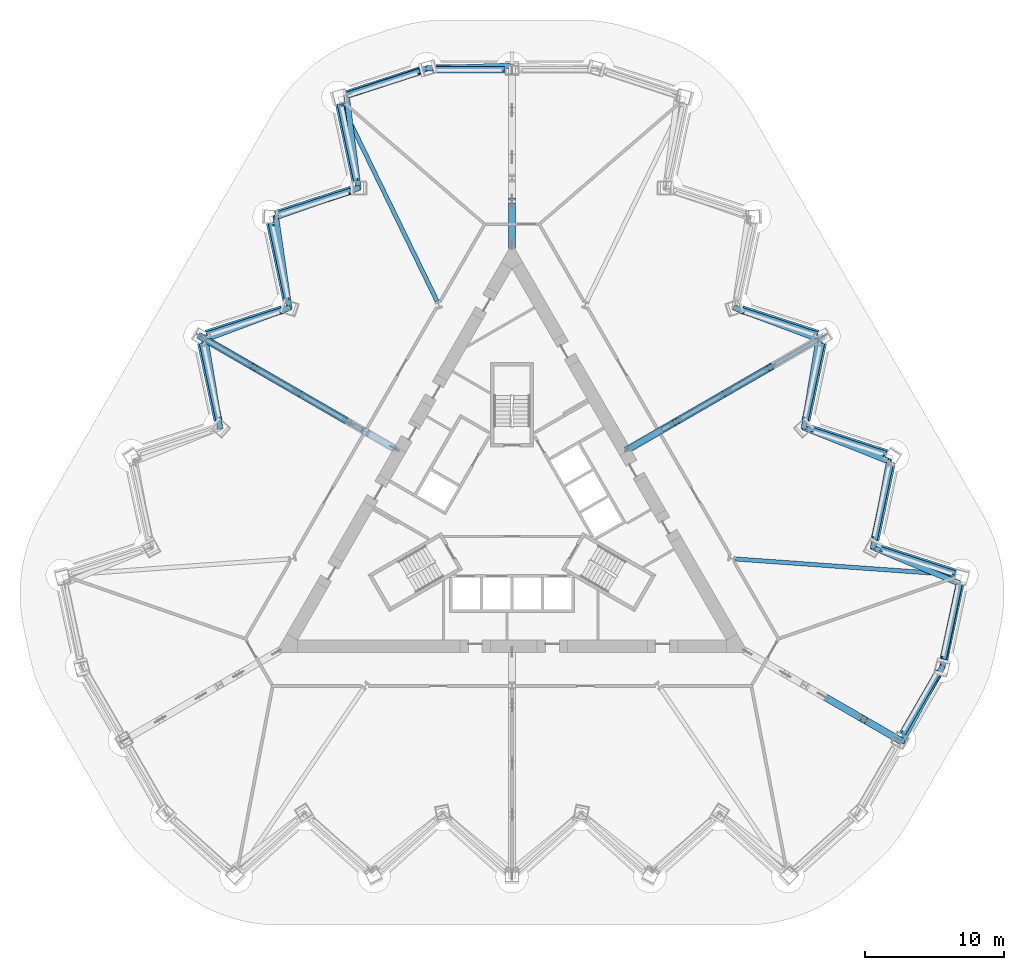
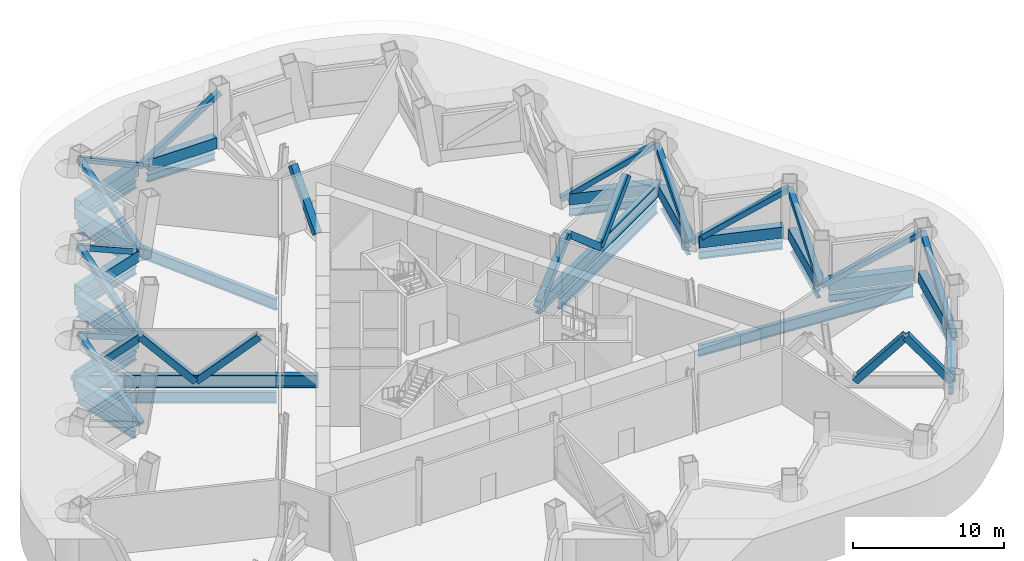
# One storey, part 3 of 14: 39 members, 18 beams.
"""IFC4 building model written with IfcOpenShell, lengths in metres."""

from ifc_helpers import new_model, si_unit, direction, frame, origin, origin_2d, place, context, subcontext, project, spatial, hollow_rectangle, i_section, extrude, material, material_profile, profile_set, type_object, element, save


model = new_model("IFC4")

# Units and contexts
model_context = context("Model", 3, precision=1e-05, world=origin(), true_north=direction((0.0, 1.0)))
body_context = subcontext(model_context, "Body", "Model", "MODEL_VIEW")
ifc_project = project(units=[si_unit("LENGTHUNIT", "METRE"), si_unit("AREAUNIT", "SQUARE_METRE"), si_unit("VOLUMEUNIT", "CUBIC_METRE"), si_unit("PLANEANGLEUNIT", "RADIAN"), si_unit("MASSUNIT", "GRAM", prefix="KILO")], contexts=[model_context])

# Site, building, storey
site_placement = place(None, origin())
site = spatial("IfcSite", under=ifc_project, at=site_placement, CompositionType="ELEMENT")
building_placement = place(site_placement, origin())
building = spatial("IfcBuilding", under=site, at=building_placement, Name="Cormorant Prow Tower", CompositionType="ELEMENT")
storey_placement = place(building_placement, frame((0.0, 0.0, 94.60009765625)))
storey = spatial("IfcBuildingStorey", under=building, at=storey_placement, Name="L19", CompositionType="ELEMENT", Elevation=94.60009765625)

# Members
ifc_material_1 = material(Name="Structural steel ASTM A572 Gr 50", Category="steel")
ifc_material_profile_1 = material_profile(ifc_material_1, hollow_rectangle(XDim=0.60009765625, YDim=0.89990234375, WallThickness=0.06005859375, at=origin_2d()), Name="Box 900x600x60")
ifc_profile_set_1 = profile_set([ifc_material_profile_1], Name="Structural steel ASTM A572 Gr 50")
member_type_1 = type_object("IfcMemberType", Name="Belt truss bottom chord 900x600x60", PredefinedType="CHORD", material=ifc_profile_set_1)
member_1_placement = place(storey_placement, frame((28.150146484375, -15.709716796875, 0.449951171875), z_axis=(0.499985124888, 0.866033991764, 0.0), x_axis=(-0.866033991764, 0.499985124888, 0.0)))
element("IfcMember", 1, at=member_1_placement, inside=storey, type_object=member_type_1, Name="Belt truss bottom chord ESE01-ENE00 L19", PredefinedType="CHORD", context=body_context, shape_type="SweptSolid", body=[
    extrude(hollow_rectangle(XDim=0.60009765625, YDim=0.89990234375, WallThickness=0.06005859375, at=origin_2d()), origin(), (0.0, 0.0, 1.0), 5.229736328125),
])
for number, where, z_axis, x_axis, name in (
    (2, (31.09765625, -10.31396484375, 0.449951171875), (0.207940619729, 0.978141451257, 0.0), (-0.978141451257, 0.207940619729, 0.0), "Belt truss bottom chord ENE00-ENE01 L19"),
    (3, (31.9423828125, -4.092041015625, 0.449951171875), (-0.951062183866, 0.308999550842, 0.0), (-0.308999550842, -0.951062183866, 0.0), "Belt truss bottom chord ENE01-ENE02 L19"),
):
    element("IfcMember", number, at=place(storey_placement, frame(where, z_axis=z_axis, x_axis=x_axis)), inside=storey, type_object=member_type_1, Name=name, PredefinedType="CHORD", context=body_context, shape_type="SweptSolid", body=[
        extrude(hollow_rectangle(XDim=0.60009765625, YDim=0.89990234375, WallThickness=0.06005859375, at=origin_2d()), origin(), (0.0, 0.0, 1.0), 5.742431640625),
    ])
member_2_placement = place(storey_placement, frame((26.131591796875, -1.712646484375, 0.449951171875), z_axis=(0.207931972737, 0.978143289459, 0.0), x_axis=(-0.978143289459, 0.207931972737, 0.0)))
element("IfcMember", 4, at=member_2_placement, inside=storey, type_object=member_type_1, Name="Belt truss bottom chord ENE02-ENE03 L19", PredefinedType="CHORD", context=body_context, shape_type="SweptSolid", body=[
    extrude(hollow_rectangle(XDim=0.60009765625, YDim=0.89990234375, WallThickness=0.06005859375, at=origin_2d()), origin(), (0.0, 0.0, 1.0), 5.74267578125),
])
for number, where, z_axis, x_axis, name in (
    (5, (26.976318359375, 4.509521484375, 0.449951171875), (-0.951062183866, 0.308999550842, 0.0), (-0.308999550842, -0.951062183866, 0.0), "Belt truss bottom chord ENE03-ENE04 L19"),
    (6, (21.16552734375, 6.888916015625, 0.449951171875), (0.207940619729, 0.978141451257, 0.0), (-0.978141451257, 0.207940619729, 0.0), "Belt truss bottom chord ENE04-ENE05 L19"),
    (7, (22.01025390625, 13.11083984375, 0.449951171875), (-0.951049689017, 0.309038005787, 0.0), (-0.309038005787, -0.951049689017, 0.0), "Belt truss bottom chord ENE05-ENE06 L19"),
):
    element("IfcMember", number, at=place(storey_placement, frame(where, z_axis=z_axis, x_axis=x_axis)), inside=storey, type_object=member_type_1, Name=name, PredefinedType="CHORD", context=body_context, shape_type="SweptSolid", body=[
        extrude(hollow_rectangle(XDim=0.60009765625, YDim=0.89990234375, WallThickness=0.06005859375, at=origin_2d()), origin(), (0.0, 0.0, 1.0), 5.742431640625),
    ])
member_3_placement = place(storey_placement, frame((-0.469970703125, 32.233642578125, 0.449951171875), z_axis=(-1.0, 0.0, 0.0), x_axis=(0.0, -1.0, 0.0)))
element("IfcMember", 8, at=member_3_placement, inside=storey, type_object=member_type_1, Name="Belt truss bottom chord N01-WNW00 L19", PredefinedType="CHORD", context=body_context, shape_type="SweptSolid", body=[
    extrude(hollow_rectangle(XDim=0.60009765625, YDim=0.89990234375, WallThickness=0.06005859375, at=origin_2d()), origin(), (0.0, 0.0, 1.0), 5.229736328125),
])
member_4_placement = place(storey_placement, frame((-6.61669921875, 32.08837890625, 0.449951171875), z_axis=(-0.951062183866, -0.308999550842, 0.0), x_axis=(0.308999550842, -0.951062183866, 0.0)))
element("IfcMember", 9, at=member_4_placement, inside=storey, type_object=member_type_1, Name="Belt truss bottom chord WNW00-WNW01 L19", PredefinedType="CHORD", context=body_context, shape_type="SweptSolid", body=[
    extrude(hollow_rectangle(XDim=0.60009765625, YDim=0.89990234375, WallThickness=0.06005859375, at=origin_2d()), origin(), (0.0, 0.0, 1.0), 5.742431640625),
])
member_5_placement = place(storey_placement, frame((-12.427490234375, 29.708984375, 0.449951171875), z_axis=(0.207931972737, -0.978143289459, 0.0), x_axis=(0.978143289459, 0.207931972737, 0.0)))
element("IfcMember", 10, at=member_5_placement, inside=storey, type_object=member_type_1, Name="Belt truss bottom chord WNW01-WNW02 L19", PredefinedType="CHORD", context=body_context, shape_type="SweptSolid", body=[
    extrude(hollow_rectangle(XDim=0.60009765625, YDim=0.89990234375, WallThickness=0.06005859375, at=origin_2d()), origin(), (0.0, 0.0, 1.0), 5.74267578125),
])
for number, where, z_axis, x_axis, name in (
    (11, (-11.582763671875, 23.487060546875, 0.449951171875), (-0.951049689017, -0.309038005787, 0.0), (0.309038005787, -0.951049689017, 0.0), "Belt truss bottom chord WNW02-WNW03 L19"),
    (12, (-17.3935546875, 21.107421875, 0.449951171875), (0.207940619729, -0.978141451257, 0.0), (0.978141451257, 0.207940619729, 0.0), "Belt truss bottom chord WNW03-WNW04 L19"),
    (13, (-16.548828125, 14.885498046875, 0.449951171875), (-0.951049689017, -0.309038005787, 0.0), (0.309038005787, -0.951049689017, 0.0), "Belt truss bottom chord WNW04-WNW05 L19"),
    (14, (-22.359619140625, 12.505859375, 0.449951171875), (0.207940619729, -0.978141451257, 0.0), (0.978141451257, 0.207940619729, 0.0), "Belt truss bottom chord WNW05-WNW06 L19"),
):
    element("IfcMember", number, at=place(storey_placement, frame(where, z_axis=z_axis, x_axis=x_axis)), inside=storey, type_object=member_type_1, Name=name, PredefinedType="CHORD", context=body_context, shape_type="SweptSolid", body=[
        extrude(hollow_rectangle(XDim=0.60009765625, YDim=0.89990234375, WallThickness=0.06005859375, at=origin_2d()), origin(), (0.0, 0.0, 1.0), 5.742431640625),
    ])
ifc_material_2 = material(Name="Structural steel ASTM A500 Gr C", Category="steel")
ifc_material_profile_2 = material_profile(ifc_material_2, hollow_rectangle(XDim=0.406494140625, YDim=0.406494140625, WallThickness=0.014892578125, at=origin_2d()), Name="HSS16x16x5/8")
ifc_profile_set_2 = profile_set([ifc_material_profile_2], Name="Structural steel ASTM A500 Gr C")
member_type_2 = type_object("IfcMemberType", Name="Belt truss diagonal HSS16x16x5/8", PredefinedType="BRACE", material=ifc_profile_set_2)
member_6_placement = place(storey_placement, frame((30.979248046875, -10.855224609375, 0.449951171875), z_axis=(-0.404375596935, -0.752984699012, 0.519128519403), x_axis=(0.880996904166, -0.473122029555, 0.0)))
element("IfcMember", 15, at=member_6_placement, inside=storey, type_object=member_type_2, Name="Belt truss diagonal ESE01-ENE00 L19", PredefinedType="BRACE", context=body_context, shape_type="SweptSolid", body=[
    extrude(hollow_rectangle(XDim=0.406494140625, YDim=0.406494140625, WallThickness=0.014892578125, at=origin_2d()), origin(), (0.0, 0.0, 1.0), 7.127197265625),
])
member_7_placement = place(storey_placement, frame((26.001220703125, -2.23291015625, 0.449951171875), z_axis=(0.808819499256, -0.338981899194, 0.480522933523), x_axis=(0.386532262966, 0.922275885886, 0.0)))
element("IfcMember", 16, at=member_7_placement, inside=storey, type_object=member_type_2, Name="Belt truss diagonal ENE01-ENE02 L19", PredefinedType="BRACE", context=body_context, shape_type="SweptSolid", body=[
    extrude(hollow_rectangle(XDim=0.406494140625, YDim=0.406494140625, WallThickness=0.014892578125, at=origin_2d()), origin(), (0.0, 0.0, 1.0), 7.699951171875),
])
member_8_placement = place(storey_placement, frame((21.02294921875, 6.389404296875, 0.449951171875), z_axis=(0.810377971724, -0.322420936169, 0.489215987949), x_axis=(0.369679818329, 0.929159206982, 0.0)))
element("IfcMember", 17, at=member_8_placement, inside=storey, type_object=member_type_2, Name="Belt truss diagonal ENE03-ENE04 L19", PredefinedType="BRACE", context=body_context, shape_type="SweptSolid", body=[
    extrude(hollow_rectangle(XDim=0.406494140625, YDim=0.406494140625, WallThickness=0.014892578125, at=origin_2d()), origin(), (0.0, 0.0, 1.0), 7.56298828125),
])
member_9_placement = place(storey_placement, frame((16.044921875, 15.01171875, 0.449951171875), z_axis=(0.811680787728, -0.305144388779, 0.498057427242), x_axis=(0.351895846656, 0.936039162165, 0.0)))
element("IfcMember", 18, at=member_9_placement, inside=storey, type_object=member_type_2, Name="Belt truss diagonal ENE05-ENE06 L19", PredefinedType="BRACE", context=body_context, shape_type="SweptSolid", body=[
    extrude(hollow_rectangle(XDim=0.406494140625, YDim=0.406494140625, WallThickness=0.014892578125, at=origin_2d()), origin(), (0.0, 0.0, 1.0), 7.4287109375),
])
member_10_placement = place(storey_placement, frame((-6.088623046875, 32.25634765625, 0.449951171875), z_axis=(0.854286991675, 0.02630788763, 0.519135464887), x_axis=(-0.030780548378, 0.999526166662, 0.0)))
element("IfcMember", 19, at=member_10_placement, inside=storey, type_object=member_type_2, Name="Belt truss diagonal N01-WNW00 L19", PredefinedType="BRACE", context=body_context, shape_type="SweptSolid", body=[
    extrude(hollow_rectangle(XDim=0.406494140625, YDim=0.406494140625, WallThickness=0.014892578125, at=origin_2d()), origin(), (0.0, 0.0, 1.0), 7.127197265625),
])
member_11_placement = place(storey_placement, frame((-11.06689453125, 23.634033203125, 0.449951171875), z_axis=(-0.110845140473, 0.86995679757, 0.480508610948), x_axis=(-0.991980283987, -0.126392706204, 0.0)))
element("IfcMember", 20, at=member_11_placement, inside=storey, type_object=member_type_2, Name="Belt truss diagonal WNW01-WNW02 L19", PredefinedType="BRACE", context=body_context, shape_type="SweptSolid", body=[
    extrude(hollow_rectangle(XDim=0.406494140625, YDim=0.406494140625, WallThickness=0.014892578125, at=origin_2d()), origin(), (0.0, 0.0, 1.0), 7.699951171875),
])
member_12_placement = place(storey_placement, frame((-16.044921875, 15.01171875, 0.449951171875), z_axis=(-0.125958825238, 0.863021320537, 0.48921219797), x_axis=(-0.989516348187, -0.144420901089, 0.0)))
element("IfcMember", 21, at=member_12_placement, inside=storey, type_object=member_type_2, Name="Belt truss diagonal WNW03-WNW04 L19", PredefinedType="BRACE", context=body_context, shape_type="SweptSolid", body=[
    extrude(hollow_rectangle(XDim=0.406494140625, YDim=0.406494140625, WallThickness=0.014892578125, at=origin_2d()), origin(), (0.0, 0.0, 1.0), 7.56298828125),
])
member_13_placement = place(storey_placement, frame((-21.02294921875, 6.389404296875, 0.449951171875), z_axis=(-0.14157746832, 0.855511758426, 0.498051655614), x_axis=(-0.986581745381, -0.163268060814, 0.0)))
element("IfcMember", 22, at=member_13_placement, inside=storey, type_object=member_type_2, Name="Belt truss diagonal WNW05-WNW06 L19", PredefinedType="BRACE", context=body_context, shape_type="SweptSolid", body=[
    extrude(hollow_rectangle(XDim=0.406494140625, YDim=0.406494140625, WallThickness=0.014892578125, at=origin_2d()), origin(), (0.0, 0.0, 1.0), 7.428955078125),
])
ifc_material_3 = material(Name="Structural steel ASTM A500 Gr C", Category="steel")
ifc_material_profile_3 = material_profile(ifc_material_3, hollow_rectangle(XDim=0.406494140625, YDim=0.406494140625, WallThickness=0.014892578125, at=origin_2d()), Name="HSS16x16x5/8")
ifc_profile_set_3 = profile_set([ifc_material_profile_3], Name="Structural steel ASTM A500 Gr C")
member_type_3 = type_object("IfcMemberType", Name="Belt truss strut HSS16x16x5/8", PredefinedType="STRUT", material=ifc_profile_set_3)
member_14_placement = place(storey_placement, frame((30.979248046875, -10.855224609375, 0.449951171875), z_axis=(0.174321674142, 0.838610187034, 0.516086144096), x_axis=(-0.979070951918, 0.20351921558, 0.0)))
element("IfcMember", 23, at=member_14_placement, inside=storey, type_object=member_type_3, Name="Belt truss strut ENE00-ENE01 L19", PredefinedType="STRUT", context=body_context, shape_type="SweptSolid", body=[
    extrude(hollow_rectangle(XDim=0.406494140625, YDim=0.406494140625, WallThickness=0.014892578125, at=origin_2d()), origin(), (0.0, 0.0, 1.0), 7.169189453125),
])
member_15_placement = place(storey_placement, frame((26.001220703125, -2.23291015625, 0.449951171875), z_axis=(0.157675282259, 0.847391730178, 0.507016529308), x_axis=(-0.983125666622, 0.182931472494, 0.0)))
element("IfcMember", 24, at=member_15_placement, inside=storey, type_object=member_type_3, Name="Belt truss strut ENE02-ENE03 L19", PredefinedType="STRUT", context=body_context, shape_type="SweptSolid", body=[
    extrude(hollow_rectangle(XDim=0.406494140625, YDim=0.406494140625, WallThickness=0.014892578125, at=origin_2d()), origin(), (0.0, 0.0, 1.0), 7.297607421875),
])
member_16_placement = place(storey_placement, frame((21.02294921875, 6.389404296875, 0.449951171875), z_axis=(0.14157746832, 0.855511758426, 0.498051655614), x_axis=(-0.986581745381, 0.163268060814, 0.0)))
element("IfcMember", 25, at=member_16_placement, inside=storey, type_object=member_type_3, Name="Belt truss strut ENE04-ENE05 L19", PredefinedType="STRUT", context=body_context, shape_type="SweptSolid", body=[
    extrude(hollow_rectangle(XDim=0.406494140625, YDim=0.406494140625, WallThickness=0.014892578125, at=origin_2d()), origin(), (0.0, 0.0, 1.0), 7.428955078125),
])
member_17_placement = place(storey_placement, frame((-6.088623046875, 32.25634765625, 0.449951171875), z_axis=(-0.813433365656, -0.268306672584, 0.516079150019), x_axis=(0.31324443822, -0.949672534048, 0.0)))
element("IfcMember", 26, at=member_17_placement, inside=storey, type_object=member_type_3, Name="Belt truss strut WNW00-WNW01 L19", PredefinedType="STRUT", context=body_context, shape_type="SweptSolid", body=[
    extrude(hollow_rectangle(XDim=0.406494140625, YDim=0.406494140625, WallThickness=0.014892578125, at=origin_2d()), origin(), (0.0, 0.0, 1.0), 7.16943359375),
])
member_18_placement = place(storey_placement, frame((-11.06689453125, 23.634033203125, 0.449951171875), z_axis=(-0.812706953965, -0.287117202327, 0.507021813244), x_axis=(0.333108406392, -0.942888535083, 0.0)))
element("IfcMember", 27, at=member_18_placement, inside=storey, type_object=member_type_3, Name="Belt truss strut WNW02-WNW03 L19", PredefinedType="STRUT", context=body_context, shape_type="SweptSolid", body=[
    extrude(hollow_rectangle(XDim=0.406494140625, YDim=0.406494140625, WallThickness=0.014892578125, at=origin_2d()), origin(), (0.0, 0.0, 1.0), 7.29736328125),
])
member_19_placement = place(storey_placement, frame((-16.044921875, 15.01171875, 0.449951171875), z_axis=(-0.811680787728, -0.305144388779, 0.498057427242), x_axis=(0.351895846656, -0.936039162165, 0.0)))
element("IfcMember", 28, at=member_19_placement, inside=storey, type_object=member_type_3, Name="Belt truss strut WNW04-WNW05 L19", PredefinedType="STRUT", context=body_context, shape_type="SweptSolid", body=[
    extrude(hollow_rectangle(XDim=0.406494140625, YDim=0.406494140625, WallThickness=0.014892578125, at=origin_2d()), origin(), (0.0, 0.0, 1.0), 7.4287109375),
])
ifc_material_4 = material(Name="Structural steel ASTM A992 Gr 50", Category="steel")
ifc_material_profile_4 = material_profile(ifc_material_4, i_section(OverallWidth=0.39990234375, OverallDepth=1.000244140625, WebThickness=0.01904296875, FlangeThickness=0.0361328125, at=origin_2d()), Name="W40x249")
ifc_profile_set_4 = profile_set([ifc_material_profile_4], Name="Structural steel ASTM A992 Gr 50")
member_type_4 = type_object("IfcMemberType", Name="Outrigger chord W40x249", PredefinedType="CHORD", material=ifc_profile_set_4)
for number, where, z_axis, x_axis, name in (
    (29, (-8.3701171875, 4.83251953125, 0.5), (-0.866029874336, 0.499992256698, 0.0), (-0.499992256698, -0.866029874336, 0.0), "Outrigger bottom chord 2 L19"),
    (30, (8.3701171875, 4.83251953125, 0.5), (0.866029874336, 0.499992256698, 0.0), (-0.499992256698, 0.866029874336, 0.0), "Outrigger bottom chord 6 L19"),
):
    element("IfcMember", number, at=place(storey_placement, frame(where, z_axis=z_axis, x_axis=x_axis)), inside=storey, type_object=member_type_4, Name=name, PredefinedType="CHORD", context=body_context, shape_type="SweptSolid", body=[
        extrude(i_section(OverallWidth=0.39990234375, OverallDepth=1.000244140625, WebThickness=0.01904296875, FlangeThickness=0.0361328125, at=origin_2d()), origin(), (0.0, 0.0, 1.0), 16.266357421875),
    ])
ifc_material_5 = material(Name="Structural steel ASTM A500 Gr C", Category="steel")
ifc_material_profile_5 = material_profile(ifc_material_5, hollow_rectangle(XDim=0.508056640625, YDim=0.508056640625, WallThickness=0.014892578125, at=origin_2d()), Name="HSS20x20x5/8")
ifc_profile_set_5 = profile_set([ifc_material_profile_5], Name="Structural steel ASTM A500 Gr C")
member_type_5 = type_object("IfcMemberType", Name="Outrigger diagonal HSS20x20x5/8", PredefinedType="BRACE", material=ifc_profile_set_5)
member_20_placement = place(storey_placement, frame((0.0, 19.47998046875, 0.5), z_axis=(0.0, 0.670312185604, 0.74207922342), x_axis=(-1.0, 0.0, 0.0)))
element("IfcMember", 31, at=member_20_placement, inside=storey, type_object=member_type_5, Name="Outrigger diagonal 1.1 L19", PredefinedType="BRACE", context=body_context, shape_type="SweptSolid", body=[
    extrude(hollow_rectangle(XDim=0.508056640625, YDim=0.508056640625, WallThickness=0.014892578125, at=origin_2d()), origin(), (0.0, 0.0, 1.0), 4.85107421875),
])
member_21_placement = place(storey_placement, frame((-15.41357421875, 8.899169921875, 0.5), z_axis=(-0.618060802827, 0.356822036129, 0.700484745402), x_axis=(-0.499983674281, -0.866034829237, 0.0)))
element("IfcMember", 32, at=member_21_placement, inside=storey, type_object=member_type_5, Name="Outrigger diagonal 2.3 L19", PredefinedType="BRACE", context=body_context, shape_type="SweptSolid", body=[
    extrude(hollow_rectangle(XDim=0.508056640625, YDim=0.508056640625, WallThickness=0.014892578125, at=origin_2d()), origin(), (0.0, 0.0, 1.0), 5.13916015625),
])
member_22_placement = place(storey_placement, frame((22.392578125, -12.928466796875, 0.5), z_axis=(0.592640333127, -0.34216275575, 0.72917904806), x_axis=(0.50000186303, 0.866024328161, 0.0)))
element("IfcMember", 33, at=member_22_placement, inside=storey, type_object=member_type_5, Name="Outrigger diagonal 5.3 L19", PredefinedType="BRACE", context=body_context, shape_type="SweptSolid", body=[
    extrude(hollow_rectangle(XDim=0.508056640625, YDim=0.508056640625, WallThickness=0.014892578125, at=origin_2d()), origin(), (0.0, 0.0, 1.0), 4.936767578125),
])
member_23_placement = place(storey_placement, frame((8.3701171875, 4.83251953125, 0.5), z_axis=(0.638863735148, 0.368858757998, 0.675126909966), x_axis=(-0.500010785354, 0.866019176768, 0.0)))
element("IfcMember", 34, at=member_23_placement, inside=storey, type_object=member_type_5, Name="Outrigger diagonal 6.1 L19", PredefinedType="BRACE", context=body_context, shape_type="SweptSolid", body=[
    extrude(hollow_rectangle(XDim=0.508056640625, YDim=0.508056640625, WallThickness=0.014892578125, at=origin_2d()), origin(), (0.0, 0.0, 1.0), 5.33203125),
])
member_24_placement = place(storey_placement, frame((15.41357421875, 8.899169921875, 0.5), z_axis=(0.618060802827, 0.356822036129, 0.700484745402), x_axis=(-0.499983674281, 0.866034829237, 0.0)))
element("IfcMember", 35, at=member_24_placement, inside=storey, type_object=member_type_5, Name="Outrigger diagonal 6.3 L19", PredefinedType="BRACE", context=body_context, shape_type="SweptSolid", body=[
    extrude(hollow_rectangle(XDim=0.508056640625, YDim=0.508056640625, WallThickness=0.014892578125, at=origin_2d()), origin(), (0.0, 0.0, 1.0), 5.13916015625),
])
ifc_material_6 = material(Name="Structural steel ASTM A500 Gr C", Category="steel")
ifc_material_profile_6 = material_profile(ifc_material_6, hollow_rectangle(XDim=0.508056640625, YDim=0.508056640625, WallThickness=0.014892578125, at=origin_2d()), Name="HSS20x20x5/8")
ifc_profile_set_6 = profile_set([ifc_material_profile_6], Name="Structural steel ASTM A500 Gr C")
member_type_6 = type_object("IfcMemberType", Name="Outrigger strut HSS20x20x5/8", PredefinedType="STRUT", material=ifc_profile_set_6)
member_25_placement = place(storey_placement, frame((-11.776611328125, 6.79931640625, 4.099853515625), z_axis=(-0.657518165836, 0.379627693116, -0.65080924718), x_axis=(-0.500009288593, -0.866020040946, 0.0)))
element("IfcMember", 36, at=member_25_placement, inside=storey, type_object=member_type_6, Name="Outrigger strut 2.2 L19", PredefinedType="STRUT", context=body_context, shape_type="SweptSolid", body=[
    extrude(hollow_rectangle(XDim=0.508056640625, YDim=0.508056640625, WallThickness=0.014892578125, at=origin_2d()), origin(), (0.0, 0.0, 1.0), 5.53125),
])
member_26_placement = place(storey_placement, frame((-18.58984375, 10.73291015625, 4.099853515625), z_axis=(-0.674247915553, 0.389242925808, -0.627598353313), x_axis=(-0.49996696679, -0.866044474677, 0.0)))
element("IfcMember", 37, at=member_26_placement, inside=storey, type_object=member_type_6, Name="Outrigger strut 2.4 L19", PredefinedType="STRUT", context=body_context, shape_type="SweptSolid", body=[
    extrude(hollow_rectangle(XDim=0.508056640625, YDim=0.508056640625, WallThickness=0.014892578125, at=origin_2d()), origin(), (0.0, 0.0, 1.0), 5.73583984375),
])
member_27_placement = place(storey_placement, frame((25.318359375, -14.61767578125, 4.099853515625), z_axis=(0.554286640197, -0.320003220593, -0.768351650814), x_axis=(0.499983218998, 0.866035092084, 0.0)))
element("IfcMember", 38, at=member_27_placement, inside=storey, type_object=member_type_6, Name="Outrigger strut 5.4 L19", PredefinedType="STRUT", context=body_context, shape_type="SweptSolid", body=[
    extrude(hollow_rectangle(XDim=0.508056640625, YDim=0.508056640625, WallThickness=0.014892578125, at=origin_2d()), origin(), (0.0, 0.0, 1.0), 4.68505859375),
])
member_28_placement = place(storey_placement, frame((11.776611328125, 6.79931640625, 4.099853515625), z_axis=(0.657518165836, 0.379627693116, -0.65080924718), x_axis=(-0.500009288593, 0.866020040946, 0.0)))
element("IfcMember", 39, at=member_28_placement, inside=storey, type_object=member_type_6, Name="Outrigger strut 6.2 L19", PredefinedType="STRUT", context=body_context, shape_type="SweptSolid", body=[
    extrude(hollow_rectangle(XDim=0.508056640625, YDim=0.508056640625, WallThickness=0.014892578125, at=origin_2d()), origin(), (0.0, 0.0, 1.0), 5.53125),
])

# Beams
ifc_material_7 = material(Name="Structural steel ASTM A992 Gr 50", Category="steel")
ifc_material_profile_7 = material_profile(ifc_material_7, i_section(OverallWidth=0.3046875, OverallDepth=0.914794921875, WebThickness=0.0166015625, FlangeThickness=0.02587890625, at=origin_2d()), Name="W36x160")
ifc_profile_set_7 = profile_set([ifc_material_profile_7], Name="Structural steel ASTM A992 Gr 50")
beam_type_1 = type_object("IfcBeamType", Name="Radial floor beam W36x160", PredefinedType="BEAM", material=ifc_profile_set_7)
beam_1_placement = place(storey_placement, frame((-5.390625, 15.4775390625, -0.857421875), z_axis=(-0.436839436813, 0.899539496879, 0.0), x_axis=(-0.899539496879, -0.436839436813, 0.0)))
element("IfcBeam", 40, at=beam_1_placement, inside=storey, type_object=beam_type_1, Name="Radial floor beam FB1 2 L19", PredefinedType="BEAM", context=body_context, shape_type="SweptSolid", body=[
    extrude(i_section(OverallWidth=0.3046875, OverallDepth=0.914794921875, WebThickness=0.0166015625, FlangeThickness=0.02587890625, at=origin_2d()), origin(), (0.0, 0.0, 1.0), 15.83203125),
])
beam_2_placement = place(storey_placement, frame((-10.779541015625, 6.2236328125, -0.857421875), z_axis=(-0.866030278318, 0.499991556966, 0.0), x_axis=(-0.499991556966, -0.866030278318, 0.0)))
element("IfcBeam", 41, at=beam_2_placement, inside=storey, type_object=beam_type_1, Name="Radial floor beam FB1 3 L19", PredefinedType="BEAM", context=body_context, shape_type="SweptSolid", body=[
    extrude(i_section(OverallWidth=0.3046875, OverallDepth=0.914794921875, WebThickness=0.0166015625, FlangeThickness=0.02587890625, at=origin_2d()), origin(), (0.0, 0.0, 1.0), 12.984130859375),
])
beam_3_placement = place(storey_placement, frame((16.099365234375, -3.0703125, -0.857421875), z_axis=(0.997443412532, -0.071460750045, 0.0), x_axis=(0.071460750045, 0.997443412532, 0.0)))
element("IfcBeam", 42, at=beam_3_placement, inside=storey, type_object=beam_type_1, Name="Radial floor beam FB1 10 L19", PredefinedType="BEAM", context=body_context, shape_type="SweptSolid", body=[
    extrude(i_section(OverallWidth=0.3046875, OverallDepth=0.914794921875, WebThickness=0.0166015625, FlangeThickness=0.02587890625, at=origin_2d()), origin(), (0.0, 0.0, 1.0), 15.831787109375),
])
beam_4_placement = place(storey_placement, frame((10.779541015625, 6.2236328125, -0.857421875), z_axis=(0.866030278318, 0.499991556966, 0.0), x_axis=(-0.499991556966, 0.866030278318, 0.0)))
element("IfcBeam", 43, at=beam_4_placement, inside=storey, type_object=beam_type_1, Name="Radial floor beam FB1 11 L19", PredefinedType="BEAM", context=body_context, shape_type="SweptSolid", body=[
    extrude(i_section(OverallWidth=0.3046875, OverallDepth=0.914794921875, WebThickness=0.0166015625, FlangeThickness=0.02587890625, at=origin_2d()), origin(), (0.0, 0.0, 1.0), 12.984130859375),
])
ifc_material_8 = material(Name="Structural steel ASTM A992 Gr 50", Category="steel")
ifc_material_profile_8 = material_profile(ifc_material_8, i_section(OverallWidth=0.32373046875, OverallDepth=0.611083984375, WebThickness=0.0126953125, FlangeThickness=0.01904296875, at=origin_2d()), Name="W24x104")
ifc_profile_set_8 = profile_set([ifc_material_profile_8], Name="Structural steel ASTM A992 Gr 50")
beam_type_2 = type_object("IfcBeamType", Name="Spandrel beam W24x104", PredefinedType="SPANDREL", material=ifc_profile_set_8)
beam_5_placement = place(storey_placement, frame((28.165283203125, -15.683837890625, -0.70556640625), z_axis=(0.49998408811, 0.866034590324, 0.0), x_axis=(-0.866034590324, 0.49998408811, 0.0)))
element("IfcBeam", 44, at=beam_5_placement, inside=storey, type_object=beam_type_2, Name="Spandrel beam SB1 ESE01-ENE00 L19", PredefinedType="SPANDREL", context=body_context, shape_type="SweptSolid", body=[
    extrude(i_section(OverallWidth=0.32373046875, OverallDepth=0.611083984375, WebThickness=0.0126953125, FlangeThickness=0.01904296875, at=origin_2d()), origin(), (0.0, 0.0, 1.0), 5.169677734375),
])
beam_6_placement = place(storey_placement, frame((31.10400390625, -10.28466796875, -0.70556640625), z_axis=(0.207900376723, 0.97815000555, 0.0), x_axis=(-0.97815000555, 0.207900376723, 0.0)))
element("IfcBeam", 45, at=beam_6_placement, inside=storey, type_object=beam_type_2, Name="Spandrel beam SB1 ENE00-ENE01 L19", PredefinedType="SPANDREL", context=body_context, shape_type="SweptSolid", body=[
    extrude(i_section(OverallWidth=0.32373046875, OverallDepth=0.611083984375, WebThickness=0.0126953125, FlangeThickness=0.01904296875, at=origin_2d()), origin(), (0.0, 0.0, 1.0), 5.6826171875),
])
beam_7_placement = place(storey_placement, frame((31.913818359375, -4.082763671875, -0.70556640625), z_axis=(-0.951049222751, 0.309039440696, 0.0), x_axis=(-0.309039440696, -0.951049222751, 0.0)))
element("IfcBeam", 46, at=beam_7_placement, inside=storey, type_object=beam_type_2, Name="Spandrel beam SB1 ENE01-ENE02 L19", PredefinedType="SPANDREL", context=body_context, shape_type="SweptSolid", body=[
    extrude(i_section(OverallWidth=0.32373046875, OverallDepth=0.611083984375, WebThickness=0.0126953125, FlangeThickness=0.01904296875, at=origin_2d()), origin(), (0.0, 0.0, 1.0), 5.682373046875),
])
beam_8_placement = place(storey_placement, frame((26.137939453125, -1.68310546875, -0.70556640625), z_axis=(0.207900376723, 0.97815000555, 0.0), x_axis=(-0.97815000555, 0.207900376723, 0.0)))
element("IfcBeam", 47, at=beam_8_placement, inside=storey, type_object=beam_type_2, Name="Spandrel beam SB1 ENE02-ENE03 L19", PredefinedType="SPANDREL", context=body_context, shape_type="SweptSolid", body=[
    extrude(i_section(OverallWidth=0.32373046875, OverallDepth=0.611083984375, WebThickness=0.0126953125, FlangeThickness=0.01904296875, at=origin_2d()), origin(), (0.0, 0.0, 1.0), 5.6826171875),
])
beam_9_placement = place(storey_placement, frame((26.94775390625, 4.518798828125, -0.70556640625), z_axis=(-0.951061849722, 0.309000579292, 0.0), x_axis=(-0.309000579292, -0.951061849722, 0.0)))
element("IfcBeam", 48, at=beam_9_placement, inside=storey, type_object=beam_type_2, Name="Spandrel beam SB1 ENE03-ENE04 L19", PredefinedType="SPANDREL", context=body_context, shape_type="SweptSolid", body=[
    extrude(i_section(OverallWidth=0.32373046875, OverallDepth=0.611083984375, WebThickness=0.0126953125, FlangeThickness=0.01904296875, at=origin_2d()), origin(), (0.0, 0.0, 1.0), 5.682373046875),
])
beam_10_placement = place(storey_placement, frame((21.171875, 6.918212890625, -0.70556640625), z_axis=(0.207900376723, 0.97815000555, 0.0), x_axis=(-0.97815000555, 0.207900376723, 0.0)))
element("IfcBeam", 49, at=beam_10_placement, inside=storey, type_object=beam_type_2, Name="Spandrel beam SB1 ENE04-ENE05 L19", PredefinedType="SPANDREL", context=body_context, shape_type="SweptSolid", body=[
    extrude(i_section(OverallWidth=0.32373046875, OverallDepth=0.611083984375, WebThickness=0.0126953125, FlangeThickness=0.01904296875, at=origin_2d()), origin(), (0.0, 0.0, 1.0), 5.6826171875),
])
beam_11_placement = place(storey_placement, frame((21.981689453125, 13.1201171875, -0.70556640625), z_axis=(-0.951049222751, 0.309039440696, 0.0), x_axis=(-0.309039440696, -0.951049222751, 0.0)))
element("IfcBeam", 50, at=beam_11_placement, inside=storey, type_object=beam_type_2, Name="Spandrel beam SB1 ENE05-ENE06 L19", PredefinedType="SPANDREL", context=body_context, shape_type="SweptSolid", body=[
    extrude(i_section(OverallWidth=0.32373046875, OverallDepth=0.611083984375, WebThickness=0.0126953125, FlangeThickness=0.01904296875, at=origin_2d()), origin(), (0.0, 0.0, 1.0), 5.682373046875),
])
beam_12_placement = place(storey_placement, frame((-0.5, 32.233642578125, -0.70556640625), z_axis=(-1.0, 0.0, 0.0), x_axis=(0.0, -1.0, 0.0)))
element("IfcBeam", 51, at=beam_12_placement, inside=storey, type_object=beam_type_2, Name="Spandrel beam SB1 N01-WNW00 L19", PredefinedType="SPANDREL", context=body_context, shape_type="SweptSolid", body=[
    extrude(i_section(OverallWidth=0.32373046875, OverallDepth=0.611083984375, WebThickness=0.0126953125, FlangeThickness=0.01904296875, at=origin_2d()), origin(), (0.0, 0.0, 1.0), 5.169677734375),
])
beam_13_placement = place(storey_placement, frame((-6.645263671875, 32.0791015625, -0.70556640625), z_axis=(-0.951061849722, -0.309000579292, 0.0), x_axis=(0.309000579292, -0.951061849722, 0.0)))
element("IfcBeam", 52, at=beam_13_placement, inside=storey, type_object=beam_type_2, Name="Spandrel beam SB1 WNW00-WNW01 L19", PredefinedType="SPANDREL", context=body_context, shape_type="SweptSolid", body=[
    extrude(i_section(OverallWidth=0.32373046875, OverallDepth=0.611083984375, WebThickness=0.0126953125, FlangeThickness=0.01904296875, at=origin_2d()), origin(), (0.0, 0.0, 1.0), 5.682373046875),
])
beam_14_placement = place(storey_placement, frame((-12.421142578125, 29.6796875, -0.70556640625), z_axis=(0.207900376723, -0.97815000555, 0.0), x_axis=(0.97815000555, 0.207900376723, 0.0)))
element("IfcBeam", 53, at=beam_14_placement, inside=storey, type_object=beam_type_2, Name="Spandrel beam SB1 WNW01-WNW02 L19", PredefinedType="SPANDREL", context=body_context, shape_type="SweptSolid", body=[
    extrude(i_section(OverallWidth=0.32373046875, OverallDepth=0.611083984375, WebThickness=0.0126953125, FlangeThickness=0.01904296875, at=origin_2d()), origin(), (0.0, 0.0, 1.0), 5.6826171875),
])
beam_15_placement = place(storey_placement, frame((-11.611328125, 23.477783203125, -0.70556640625), z_axis=(-0.951049222751, -0.309039440696, 0.0), x_axis=(0.309039440696, -0.951049222751, 0.0)))
element("IfcBeam", 54, at=beam_15_placement, inside=storey, type_object=beam_type_2, Name="Spandrel beam SB1 WNW02-WNW03 L19", PredefinedType="SPANDREL", context=body_context, shape_type="SweptSolid", body=[
    extrude(i_section(OverallWidth=0.32373046875, OverallDepth=0.611083984375, WebThickness=0.0126953125, FlangeThickness=0.01904296875, at=origin_2d()), origin(), (0.0, 0.0, 1.0), 5.682373046875),
])
beam_16_placement = place(storey_placement, frame((-17.38720703125, 21.078125, -0.70556640625), z_axis=(0.207900376723, -0.97815000555, 0.0), x_axis=(0.97815000555, 0.207900376723, 0.0)))
element("IfcBeam", 55, at=beam_16_placement, inside=storey, type_object=beam_type_2, Name="Spandrel beam SB1 WNW03-WNW04 L19", PredefinedType="SPANDREL", context=body_context, shape_type="SweptSolid", body=[
    extrude(i_section(OverallWidth=0.32373046875, OverallDepth=0.611083984375, WebThickness=0.0126953125, FlangeThickness=0.01904296875, at=origin_2d()), origin(), (0.0, 0.0, 1.0), 5.6826171875),
])
beam_17_placement = place(storey_placement, frame((-16.577392578125, 14.876220703125, -0.70556640625), z_axis=(-0.951049222751, -0.309039440696, 0.0), x_axis=(0.309039440696, -0.951049222751, 0.0)))
element("IfcBeam", 56, at=beam_17_placement, inside=storey, type_object=beam_type_2, Name="Spandrel beam SB1 WNW04-WNW05 L19", PredefinedType="SPANDREL", context=body_context, shape_type="SweptSolid", body=[
    extrude(i_section(OverallWidth=0.32373046875, OverallDepth=0.611083984375, WebThickness=0.0126953125, FlangeThickness=0.01904296875, at=origin_2d()), origin(), (0.0, 0.0, 1.0), 5.682373046875),
])
beam_18_placement = place(storey_placement, frame((-22.353271484375, 12.4765625, -0.70556640625), z_axis=(0.207900376723, -0.97815000555, 0.0), x_axis=(0.97815000555, 0.207900376723, 0.0)))
element("IfcBeam", 57, at=beam_18_placement, inside=storey, type_object=beam_type_2, Name="Spandrel beam SB1 WNW05-WNW06 L19", PredefinedType="SPANDREL", context=body_context, shape_type="SweptSolid", body=[
    extrude(i_section(OverallWidth=0.32373046875, OverallDepth=0.611083984375, WebThickness=0.0126953125, FlangeThickness=0.01904296875, at=origin_2d()), origin(), (0.0, 0.0, 1.0), 5.6826171875),
])

save(model, "model.ifc")
